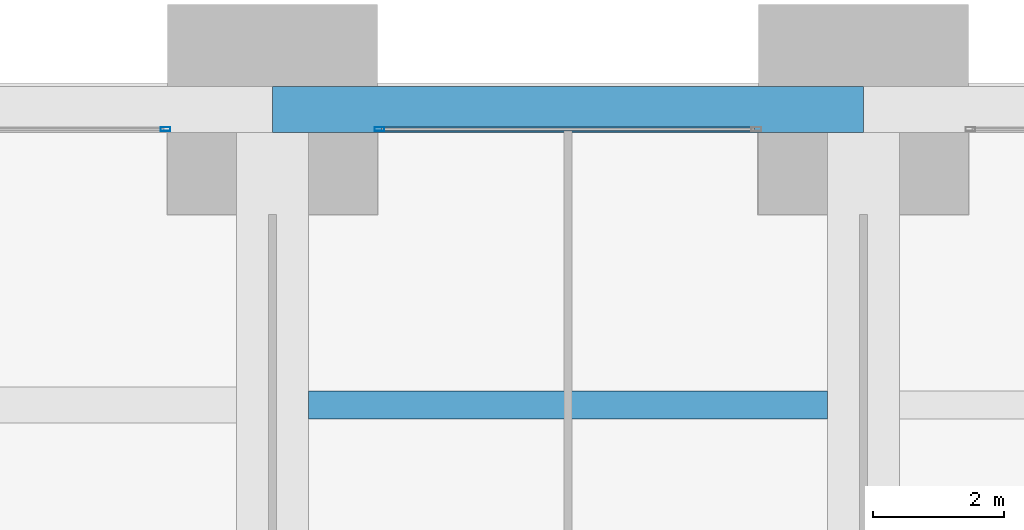
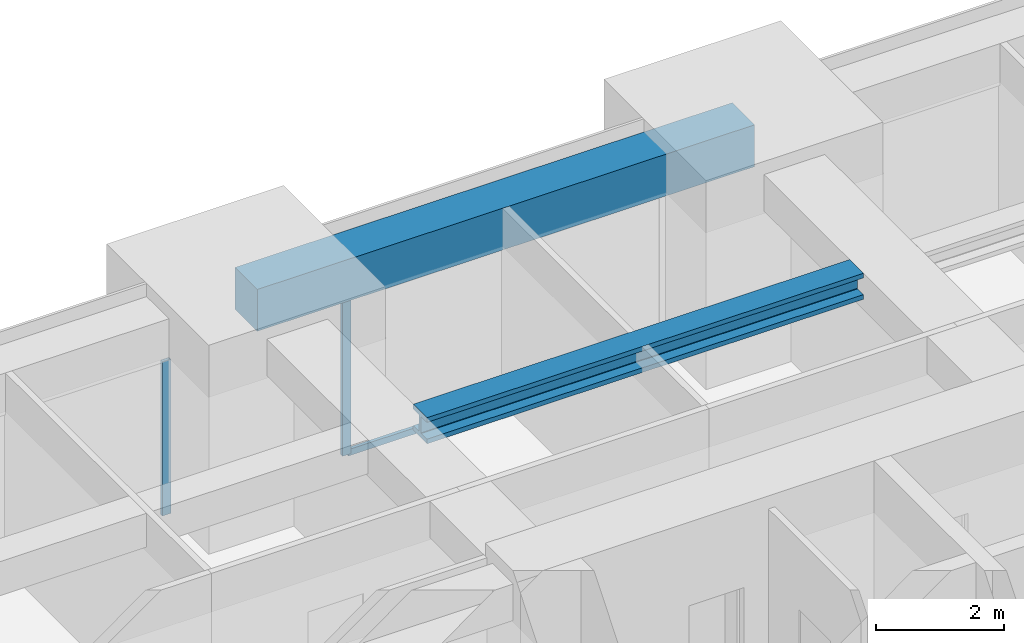
# One storey, part 28 of 41: 3 members, 2 beams, 2 elements without a shape of their own.
"""IFC4 building model written with IfcOpenShell, lengths in metres."""

import ifcopenshell
import ifcopenshell.guid

model = None  # the IFC model being written
_history = None  # IfcOwnerHistory: only IFC2X3 demands one
_inside = {}  # id of a spatial element -> (the spatial element, [elements in it])
_under = {}  # id of a project, library or spatial element -> (it, [spatial elements below it])
_declared = {}  # id of a project -> (the project, [libraries it declares])
_typed = {}  # id of a type object -> (the type object, [elements of that type])
_made_of = {}  # id of a material, layer set ... -> (it, [elements and type objects made of it])


def new_model(schema):
    """Start an empty IFC model of exactly this schema.

    Asked for "IFC4X3", IfcOpenShell would pick the latest addendum, in which some entities
    have other attributes; the version numbers below select the first issue.
    IFC2X3 requires an IfcOwnerHistory on every rooted entity: one is made here for all.
    """
    global model, _history
    if schema == "IFC4X3":
        model = ifcopenshell.file(schema_version=(4, 3, 0, 0))
    else:
        model = ifcopenshell.file(schema=schema)
    _inside.clear()
    _under.clear()
    _declared.clear()
    _typed.clear()
    _made_of.clear()
    _history = None
    if model.schema == "IFC2X3":
        org = make("IfcOrganization", Name="unknown")
        user = make(
            "IfcPersonAndOrganization",
            ThePerson=make("IfcPerson", FamilyName="unknown"),
            TheOrganization=org,
        )
        app = make(
            "IfcApplication",
            ApplicationDeveloper=org,
            Version="unknown",
            ApplicationFullName="unknown",
            ApplicationIdentifier="unknown",
        )
        _history = make(
            "IfcOwnerHistory",
            OwningUser=user,
            OwningApplication=app,
            ChangeAction="ADDED",
            CreationDate=0,
        )
    return model


def make(cls, **values):
    """One entity of the class cls with the attributes given. An attribute that is None is left unset."""
    return model.create_entity(
        cls, **{name: value for name, value in values.items() if value is not None}
    )


def rooted(cls, **values):
    """An entity with a GlobalId (a new one), such as an element, a storey or a relation."""
    return make(cls, GlobalId=ifcopenshell.guid.new(), OwnerHistory=_history, **values)


def si_unit(unit_type, name, prefix=None):
    """IfcSIUnit, for example si_unit("LENGTHUNIT", "METRE", prefix="MILLI")."""
    return make("IfcSIUnit", UnitType=unit_type, Prefix=prefix, Name=name)


def assignment(units):
    """IfcUnitAssignment: the units of a project."""
    return None if units is None else make("IfcUnitAssignment", Units=units)


def point(xyz):
    """IfcCartesianPoint."""
    return None if xyz is None else make("IfcCartesianPoint", Coordinates=xyz)


def direction(xyz):
    """IfcDirection."""
    return None if xyz is None else make("IfcDirection", DirectionRatios=xyz)


def frame(location, z_axis=None, x_axis=None):
    """IfcAxis2Placement3D, a coordinate frame: its origin and axes. An axis left out is left unset."""
    return make(
        "IfcAxis2Placement3D",
        Location=point(location),
        Axis=direction(z_axis),
        RefDirection=direction(x_axis),
    )


def frame_2d(location, x_axis=None):
    """IfcAxis2Placement2D, a coordinate frame in the plane: its origin and x axis."""
    return make(
        "IfcAxis2Placement2D", Location=point(location), RefDirection=direction(x_axis)
    )


def origin():
    """The frame at (0, 0, 0) with its axes left unset."""
    return frame((0.0, 0.0, 0.0))


def origin_2d():
    """The frame at (0, 0) in the plane with its x axis left unset."""
    return frame_2d((0.0, 0.0))


def place(relative_to, where):
    """IfcLocalPlacement: puts the frame where relative to a parent placement (None: the world)."""
    return make(
        "IfcLocalPlacement", PlacementRelTo=relative_to, RelativePlacement=where
    )


def context(
    kind, dimensions, precision=None, world=None, true_north=None, identifier=None
):
    """IfcGeometricRepresentationContext, for example the 3D "Model" context."""
    return make(
        "IfcGeometricRepresentationContext",
        ContextIdentifier=identifier,
        ContextType=kind,
        CoordinateSpaceDimension=dimensions,
        Precision=precision,
        WorldCoordinateSystem=world,
        TrueNorth=true_north,
    )


def subcontext(parent, identifier, kind, view, scale=None):
    """IfcGeometricRepresentationSubContext, for example "Body" below "Model"."""
    return make(
        "IfcGeometricRepresentationSubContext",
        ContextIdentifier=identifier,
        ContextType=kind,
        ParentContext=parent,
        TargetScale=scale,
        TargetView=view,
    )


def project(units=None, contexts=None):
    """IfcProject with its units and contexts."""
    return rooted(
        "IfcProject",
        Name="project",
        RepresentationContexts=contexts,
        UnitsInContext=assignment(units),
    )


def spatial(cls, under=None, at=None, **own):
    """A site, building, storey or space (cls), placed at a placement, below another one or the project."""
    s = rooted(cls, ObjectPlacement=at, **own)
    if under is not None:
        _under.setdefault(under.id(), (under, []))[1].append(s)
    return s


def profile(cls, at=None, kind="AREA", **sizes):
    """A parametric profile (cls). Its sizes go by their IFC names, for example OverallWidth=200.0."""
    return make(cls, ProfileType=kind, Position=at, **sizes)


def rectangle(**sizes):
    """IfcRectangleProfileDef."""
    return profile("IfcRectangleProfileDef", **sizes)


def hollow_rectangle(**sizes):
    """IfcRectangleHollowProfileDef."""
    return profile("IfcRectangleHollowProfileDef", **sizes)


def i_section(**sizes):
    """IfcIShapeProfileDef."""
    return profile("IfcIShapeProfileDef", **sizes)


def extrude(swept, where, along, depth):
    """IfcExtrudedAreaSolid: the profile swept, set in the frame where, extruded along a direction by depth."""
    return make(
        "IfcExtrudedAreaSolid",
        SweptArea=swept,
        Position=where,
        ExtrudedDirection=direction(along),
        Depth=depth,
    )


def shape(context_of_items, identifier, shape_type, items):
    """IfcShapeRepresentation: the items that make up one representation, for example the "Body"."""
    return make(
        "IfcShapeRepresentation",
        ContextOfItems=context_of_items,
        RepresentationIdentifier=identifier,
        RepresentationType=shape_type,
        Items=items,
    )


def material(Name=None, Category=None):
    """IfcMaterial."""
    return make("IfcMaterial", Name=Name, Category=Category)


def material_profile(
    of_material, cross_section, Name=None, Category=None, Priority=None
):
    """IfcMaterialProfile: a cross section and its material."""
    return make(
        "IfcMaterialProfile",
        Name=Name,
        Material=of_material,
        Profile=cross_section,
        Priority=Priority,
        Category=Category,
    )


def profile_set(profiles, Name=None, composite=None):
    """IfcMaterialProfileSet."""
    return make(
        "IfcMaterialProfileSet",
        Name=Name,
        MaterialProfiles=profiles,
        CompositeProfile=composite,
    )


def made_of(thing, what):
    """Note that an element or type object is made of a material, layer set ...; save() writes the relation."""
    if what is not None:
        _made_of.setdefault(what.id(), (what, []))[1].append(thing)
    return thing


def type_object(cls, material=None, **own):
    """A type object (cls), such as IfcWallType, which elements share."""
    return made_of(rooted(cls, **own), material)


def element(
    cls,
    number,
    at=None,
    inside=None,
    cuts=None,
    type_object=None,
    material=None,
    context=None,
    identifier="Body",
    shape_type=None,
    held_by="IfcProductDefinitionShape",
    body=None,
    shapes=None,
    **own,
):
    """One element of the class cls, such as IfcWall. Its Tag is "e" and its number.

    at: its placement. inside: the storey or other place that contains it. cuts: it is an
    opening in that element (IfcRelVoidsElement). A single representation is given by context,
    identifier, shape_type and body (its items); several are given by shapes. held_by: the class
    of the entity that holds the representations. save() writes the other relations.
    """
    e = rooted(cls, Tag="e%d" % number, ObjectPlacement=at, **own)
    if body is not None:
        shapes = [shape(context, identifier, shape_type, body)]
    if shapes is not None:
        e.Representation = make(held_by, Representations=shapes)
    if inside is not None:
        _inside.setdefault(inside.id(), (inside, []))[1].append(e)
    if cuts is not None:
        rooted(
            "IfcRelVoidsElement", RelatingBuildingElement=cuts, RelatedOpeningElement=e
        )
    if type_object is not None:
        _typed.setdefault(type_object.id(), (type_object, []))[1].append(e)
    return made_of(e, material)


def aggregate(whole, parts):
    """IfcRelAggregates: a whole, such as a stair, and the parts it consists of."""
    return rooted("IfcRelAggregates", RelatingObject=whole, RelatedObjects=parts)


def save(model, path):
    """Write the relations noted so far, then the file.

    IfcRelAggregates (storeys below a building ...), IfcRelContainedInSpatialStructure (elements
    in a storey), IfcRelDefinesByType, IfcRelAssociatesMaterial and IfcRelDeclares: one each for
    every whole, place, type object, material and project.
    """
    for whole, parts in _under.values():
        aggregate(whole, parts)
    for where, things in _inside.values():
        rooted(
            "IfcRelContainedInSpatialStructure",
            RelatedElements=things,
            RelatingStructure=where,
        )
    for kind, things in _typed.values():
        rooted("IfcRelDefinesByType", RelatedObjects=things, RelatingType=kind)
    for what, things in _made_of.values():
        rooted("IfcRelAssociatesMaterial", RelatedObjects=things, RelatingMaterial=what)
    for by, libraries in _declared.values():
        rooted("IfcRelDeclares", RelatingContext=by, RelatedDefinitions=libraries)
    model.write(path)


model = new_model("IFC4")

# Units and contexts
model_context = context("Model", 3, precision=1e-05, world=origin(), true_north=direction((0.0, 1.0)))
body_context = subcontext(model_context, "Body", "Model", "MODEL_VIEW")
ifc_project = project(units=[si_unit("LENGTHUNIT", "METRE"), si_unit("AREAUNIT", "SQUARE_METRE"), si_unit("VOLUMEUNIT", "CUBIC_METRE"), si_unit("PLANEANGLEUNIT", "RADIAN"), si_unit("MASSUNIT", "GRAM", prefix="KILO")], contexts=[model_context])

# Site, building, storey
site_placement = place(None, origin())
site = spatial("IfcSite", under=ifc_project, at=site_placement, CompositionType="ELEMENT")
building_placement = place(site_placement, origin())
building = spatial("IfcBuilding", under=site, at=building_placement, Name="Zorevar Civic Tower", CompositionType="ELEMENT")
storey_placement = place(building_placement, frame((0.0, 0.0, 89.0)))
storey = spatial("IfcBuildingStorey", under=building, at=storey_placement, Name="L21", CompositionType="ELEMENT", Elevation=89.0)

# Curtain wall, member
ifc_material_1 = material(Name="Dark grey solar-control glass in black aluminium frame", Category="aluminium")
curtain_wall_type = type_object("IfcCurtainWallType", Name="Curtain wall CW3 mid zone", PredefinedType="NOTDEFINED", material=ifc_material_1)
curtain_wall_1_placement = place(storey_placement, origin())
curtain_wall_1 = element("IfcCurtainWall", 1, at=curtain_wall_1_placement, inside=storey, type_object=curtain_wall_type, Name="CW3 L21", PredefinedType="NOTDEFINED")
ifc_material_2 = material(Name="Aluminium, black anodised", Category="aluminium")
ifc_material_profile_1 = material_profile(ifc_material_2, hollow_rectangle(XDim=0.06005859375, YDim=0.14990234375, WallThickness=0.00390625, at=origin_2d()), Name="AL 150x60x4")
ifc_profile_set_1 = profile_set([ifc_material_profile_1], Name="Aluminium, black anodised")
member_type_1 = type_object("IfcMemberType", Name="CW3 mullion AL 150x60x4", PredefinedType="MULLION", material=ifc_profile_set_1)
member_1_placement = place(storey_placement, frame((16.3701171875, 44.699951171875, 0.0), z_axis=(0.0, 0.0, 1.0), x_axis=(0.0, 1.0, 0.0)))
member_1 = element("IfcMember", 2, at=member_1_placement, type_object=member_type_1, Name="CW3 mullion 2", PredefinedType="MULLION", context=body_context, shape_type="SweptSolid", body=[
    extrude(hollow_rectangle(XDim=0.06005859375, YDim=0.14990234375, WallThickness=0.00390625, at=origin_2d()), origin(), (0.0, 0.0, 1.0), 2.949951171875),
])
aggregate(curtain_wall_1, [member_1])

# Curtain wall, members
curtain_wall_2_placement = place(storey_placement, origin())
curtain_wall_2 = element("IfcCurtainWall", 3, at=curtain_wall_2_placement, inside=storey, type_object=curtain_wall_type, Name="CW3 L21", PredefinedType="NOTDEFINED")
member_2_placement = place(storey_placement, frame((19.6298828125, 44.699951171875, 0.0), z_axis=(0.0, 0.0, 1.0), x_axis=(0.0, 1.0, 0.0)))
member_2 = element("IfcMember", 4, at=member_2_placement, type_object=member_type_1, Name="CW3 mullion 1", PredefinedType="MULLION", context=body_context, shape_type="SweptSolid", body=[
    extrude(hollow_rectangle(XDim=0.06005859375, YDim=0.14990234375, WallThickness=0.00390625, at=origin_2d()), origin(), (0.0, 0.0, 1.0), 2.949951171875),
])
ifc_material_3 = material(Name="Aluminium, black anodised", Category="aluminium")
ifc_material_profile_2 = material_profile(ifc_material_3, hollow_rectangle(XDim=0.06005859375, YDim=0.1201171875, WallThickness=0.0029296875, at=origin_2d()), Name="AL 120x60x3")
ifc_profile_set_2 = profile_set([ifc_material_profile_2], Name="Aluminium, black anodised")
member_type_2 = type_object("IfcMemberType", Name="CW3 transom AL 120x60x3", PredefinedType="USERDEFINED", material=ifc_profile_set_2)
member_3_placement = place(storey_placement, frame((19.659912109375, 44.699951171875, 0.030029296875), z_axis=(1.0, 0.0, 0.0), x_axis=(0.0, 1.0, 0.0)))
member_3 = element("IfcMember", 5, at=member_3_placement, type_object=member_type_2, Name="CW3 sill transom", ObjectType="TRANSOM", PredefinedType="USERDEFINED", context=body_context, shape_type="SweptSolid", body=[
    extrude(hollow_rectangle(XDim=0.06005859375, YDim=0.1201171875, WallThickness=0.0029296875, at=origin_2d()), origin(), (0.0, 0.0, 1.0), 5.68017578125),
])
aggregate(curtain_wall_2, [member_2, member_3])

# Beams
ifc_material_4 = material(Name="Steel S460M (HISTAR 460)", Category="steel")
ifc_material_profile_3 = material_profile(ifc_material_4, i_section(OverallWidth=0.431884765625, OverallDepth=0.498046875, WebThickness=0.0556640625, FlangeThickness=0.0888671875, FilletRadius=0.014892578125, at=origin_2d()), Name="HD 400x744")
ifc_profile_set_3 = profile_set([ifc_material_profile_3], Name="Steel S460M (HISTAR 460)")
beam_type_1 = type_object("IfcBeamType", Name="Core bay beam HD 400x744", PredefinedType="BEAM", material=ifc_profile_set_3)
beam_1_placement = place(storey_placement, frame((18.550048828125, 40.5, 3.5009765625), z_axis=(1.0, 0.0, 0.0), x_axis=(0.0, 1.0, 0.0)))
element("IfcBeam", 6, at=beam_1_placement, inside=storey, type_object=beam_type_1, Name="Secondary beam L22", PredefinedType="BEAM", context=body_context, shape_type="SweptSolid", body=[
    extrude(i_section(OverallWidth=0.431884765625, OverallDepth=0.498046875, WebThickness=0.0556640625, FlangeThickness=0.0888671875, FilletRadius=0.014892578125, at=origin_2d()), origin(), (0.0, 0.0, 1.0), 7.89990234375),
])
ifc_material_5 = material(Name="Concrete C50/60", Category="concrete")
ifc_material_profile_4 = material_profile(ifc_material_5, rectangle(XDim=0.699951171875, YDim=0.800048828125, at=origin_2d()), Name="RC 700x800")
ifc_profile_set_4 = profile_set([ifc_material_profile_4], Name="Concrete C50/60")
beam_type_2 = type_object("IfcBeamType", Name="Edge beam RC 700x800", PredefinedType="SPANDREL", material=ifc_profile_set_4)
beam_2_placement = place(storey_placement, frame((18.0, 45.0, 3.35009765625), z_axis=(1.0, 0.0, 0.0), x_axis=(0.0, 1.0, 0.0)))
element("IfcBeam", 7, at=beam_2_placement, inside=storey, type_object=beam_type_2, Name="Edge beam L22", PredefinedType="SPANDREL", context=body_context, shape_type="SweptSolid", body=[
    extrude(rectangle(XDim=0.699951171875, YDim=0.800048828125, at=origin_2d()), origin(), (0.0, 0.0, 1.0), 9.0),
])

save(model, "model.ifc")
